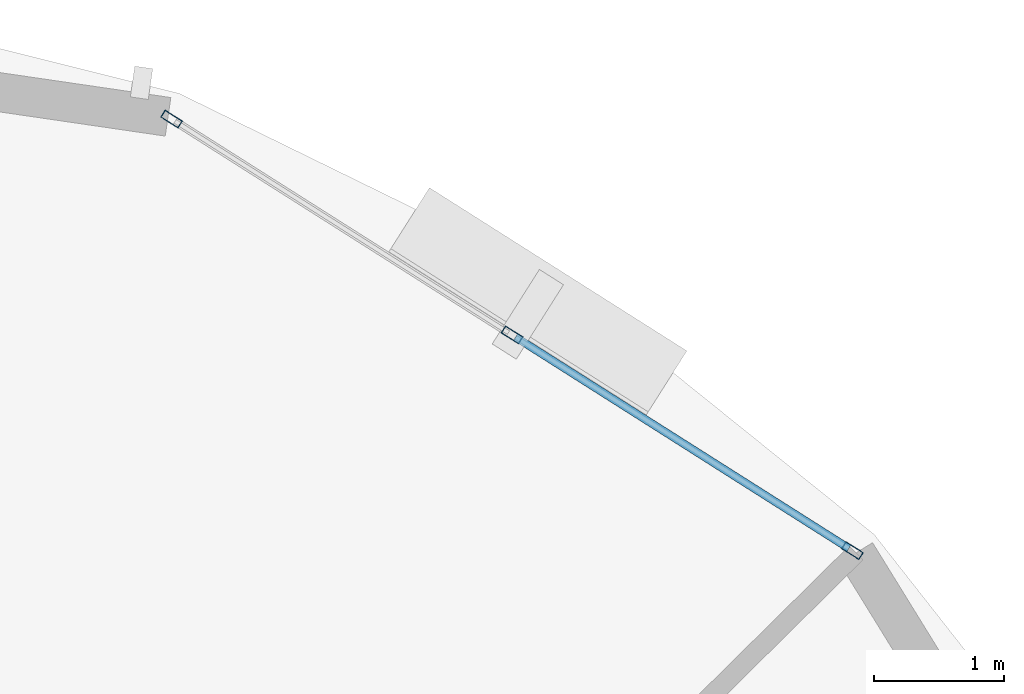
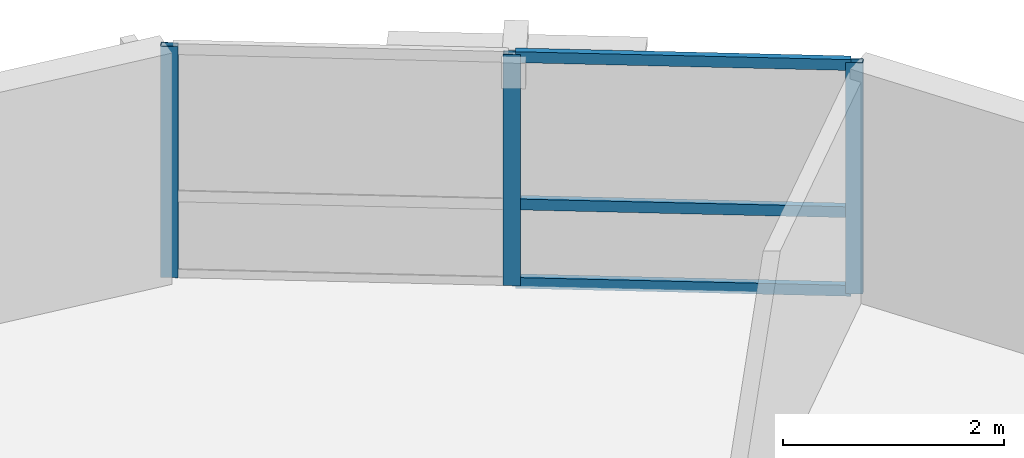
# One storey, part 6 of 12: 6 members, 1 element without a shape of its own.
"""IFC4 building model written with IfcOpenShell, lengths in metres."""

from ifc_helpers import new_model, si_unit, direction, frame, origin, origin_2d, place, context, subcontext, project, spatial, hollow_rectangle, extrude, material, layer, layer_set, material_profile, profile_set, type_object, element, aggregate, save


model = new_model("IFC4")

# Units and contexts
model_context = context("Model", 3, precision=1e-05, world=origin(), true_north=direction((0.0, 1.0)))
body_context = subcontext(model_context, "Body", "Model", "MODEL_VIEW")
ifc_project = project(units=[si_unit("LENGTHUNIT", "METRE"), si_unit("AREAUNIT", "SQUARE_METRE"), si_unit("VOLUMEUNIT", "CUBIC_METRE"), si_unit("PLANEANGLEUNIT", "RADIAN"), si_unit("MASSUNIT", "GRAM", prefix="KILO"), si_unit("THERMODYNAMICTEMPERATUREUNIT", "KELVIN"), si_unit("POWERUNIT", "WATT")], contexts=[model_context])

# Site, building, storey
site_placement = place(None, origin())
site = spatial("IfcSite", under=ifc_project, at=site_placement, CompositionType="ELEMENT")
building_placement = place(site_placement, origin())
building = spatial("IfcBuilding", under=site, at=building_placement, Name="Ocrelia Relay Tower", CompositionType="ELEMENT")
storey_placement = place(building_placement, frame((0.0, 0.0, 216.800048828125)))
storey = spatial("IfcBuildingStorey", under=building, at=storey_placement, Name="L53", CompositionType="ELEMENT", Elevation=216.800048828125)

# Curtain wall, members
ifc_material_1 = material(Name="Aluminium and solar-control low-E glass", Category="aluminium")
ifc_layer = layer(ifc_material_1, 0.179931640625, Name="Aluminium and solar-control low-E glass")
ifc_layer_set = layer_set([ifc_layer], Name="Aluminium and solar-control low-E glass")
curtain_wall_type = type_object("IfcCurtainWallType", Name="CW-SYS-Z3-CLOU", PredefinedType="NOTDEFINED", material=ifc_layer_set)
curtain_wall_placement = place(storey_placement, origin())
curtain_wall = element("IfcCurtainWall", 1, at=curtain_wall_placement, inside=storey, type_object=curtain_wall_type, Name="L53 Elliptical Tower Curtain Wall Bay 01", PredefinedType="NOTDEFINED")
ifc_material_2 = material(Name="Anodised bronze aluminium", Category="aluminium")
ifc_material_profile_1 = material_profile(ifc_material_2, hollow_rectangle(XDim=0.06494140625, YDim=0.159912109375, WallThickness=0.0048828125, at=origin_2d()), Name="CW-MUL-160x65")
ifc_profile_set_1 = profile_set([ifc_material_profile_1], Name="Anodised bronze aluminium")
member_type_1 = type_object("IfcMemberType", Name="CW-SYS-Z3-CLOU-MUL", PredefinedType="MULLION", material=ifc_profile_set_1)
member_1_placement = place(storey_placement, frame((50.61962890625, 42.46240234375, 0.0), z_axis=(0.0, 0.0, 1.0), x_axis=(-0.535383370855, -0.844609167729, 0.0)))
member_1 = element("IfcMember", 2, at=member_1_placement, type_object=member_type_1, Name="CW-Z3 mullion 1", PredefinedType="MULLION", context=body_context, shape_type="SweptSolid", body=[
    extrude(hollow_rectangle(XDim=0.06494140625, YDim=0.159912109375, WallThickness=0.0048828125, at=origin_2d()), origin(), (0.0, 0.0, 1.0), 2.56005859375),
])
member_2_placement = place(storey_placement, frame((47.993896484375, 44.126708984375, 0.0), z_axis=(0.0, 0.0, 1.0), x_axis=(-0.535383370855, -0.844609167729, 0.0)))
member_2 = element("IfcMember", 3, at=member_2_placement, type_object=member_type_1, Name="CW-Z3 mullion 2", PredefinedType="MULLION", context=body_context, shape_type="SweptSolid", body=[
    extrude(hollow_rectangle(XDim=0.06494140625, YDim=0.159912109375, WallThickness=0.0048828125, at=origin_2d()), origin(), (0.0, 0.0, 1.0), 2.56005859375),
])
member_3_placement = place(storey_placement, frame((45.3681640625, 45.791259765625, 0.0), z_axis=(0.0, 0.0, 1.0), x_axis=(-0.535383370855, -0.844609167729, 0.0)))
member_3 = element("IfcMember", 4, at=member_3_placement, type_object=member_type_1, Name="CW-Z3 mullion 3", PredefinedType="MULLION", context=body_context, shape_type="SweptSolid", body=[
    extrude(hollow_rectangle(XDim=0.06494140625, YDim=0.159912109375, WallThickness=0.0048828125, at=origin_2d()), origin(), (0.0, 0.0, 1.0), 2.56005859375),
])
ifc_material_profile_2 = material_profile(ifc_material_2, hollow_rectangle(XDim=0.06005859375, YDim=0.1201171875, WallThickness=0.0048828125, at=origin_2d()), Name="CW-TRN-120x60")
ifc_profile_set_2 = profile_set([ifc_material_profile_2], Name="Anodised bronze aluminium")
member_type_2 = type_object("IfcMemberType", Name="CW-SYS-Z3-CLOU-TRN", PredefinedType="USERDEFINED", material=ifc_profile_set_2)
member_4_placement = place(storey_placement, frame((50.59228515625, 42.479736328125, 0.030029296875), z_axis=(-0.844624457517, 0.535359249257, 0.0), x_axis=(-0.535359249257, -0.844624457517, 0.0)))
member_4 = element("IfcMember", 5, at=member_4_placement, type_object=member_type_2, Name="CW-Z3 transom 1.1", ObjectType="TRANSOM", PredefinedType="USERDEFINED", context=body_context, shape_type="SweptSolid", body=[
    extrude(hollow_rectangle(XDim=0.06005859375, YDim=0.1201171875, WallThickness=0.0048828125, at=origin_2d()), origin(), (0.0, 0.0, 1.0), 3.0439453125),
])
member_5_placement = place(storey_placement, frame((50.59228515625, 42.479736328125, 0.89990234375), z_axis=(-0.844624457517, 0.535359249257, 0.0), x_axis=(-0.535359249257, -0.844624457517, 0.0)))
member_5 = element("IfcMember", 6, at=member_5_placement, type_object=member_type_2, Name="CW-Z3 transom 1.2", ObjectType="TRANSOM", PredefinedType="USERDEFINED", context=body_context, shape_type="SweptSolid", body=[
    extrude(hollow_rectangle(XDim=0.06005859375, YDim=0.1201171875, WallThickness=0.0048828125, at=origin_2d()), origin(), (0.0, 0.0, 1.0), 3.0439453125),
])
member_6_placement = place(storey_placement, frame((50.59228515625, 42.479736328125, 2.530029296875), z_axis=(-0.844624457517, 0.535359249257, 0.0), x_axis=(-0.535359249257, -0.844624457517, 0.0)))
member_6 = element("IfcMember", 7, at=member_6_placement, type_object=member_type_2, Name="CW-Z3 transom 1.3", ObjectType="TRANSOM", PredefinedType="USERDEFINED", context=body_context, shape_type="SweptSolid", body=[
    extrude(hollow_rectangle(XDim=0.06005859375, YDim=0.1201171875, WallThickness=0.0048828125, at=origin_2d()), origin(), (0.0, 0.0, 1.0), 3.0439453125),
])
aggregate(curtain_wall, [member_1, member_2, member_3, member_4, member_5, member_6])

save(model, "model.ifc")
